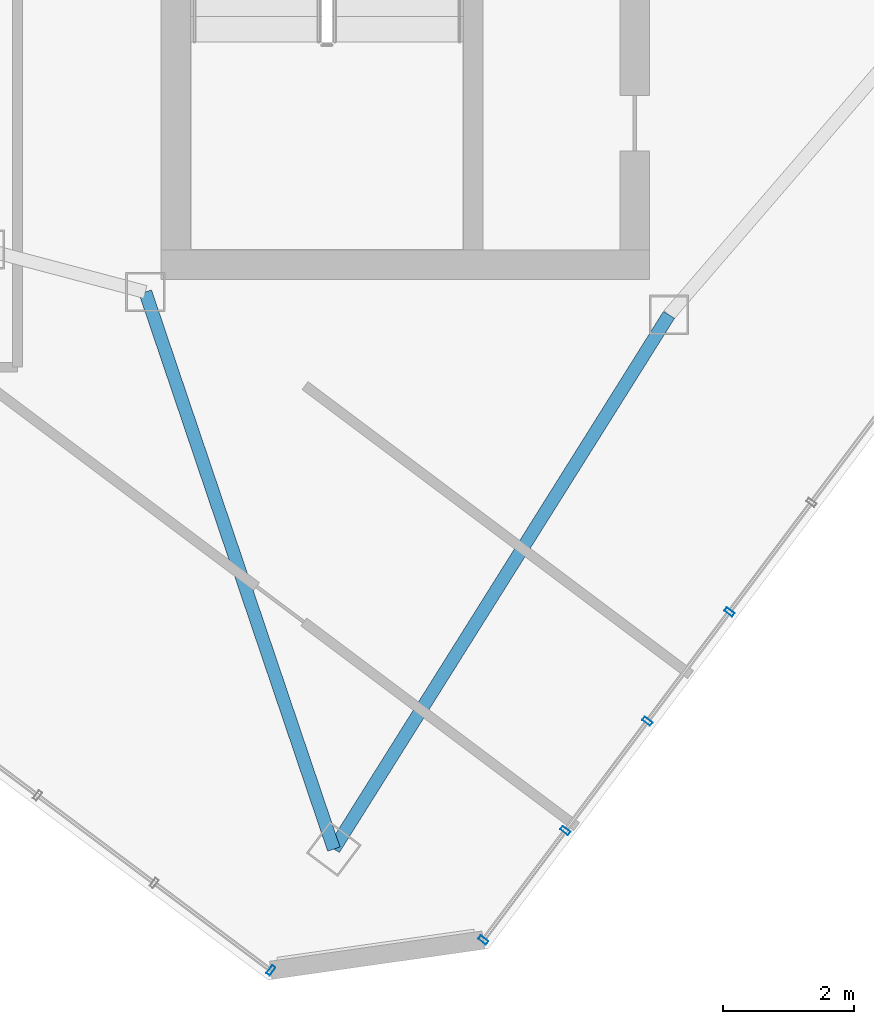
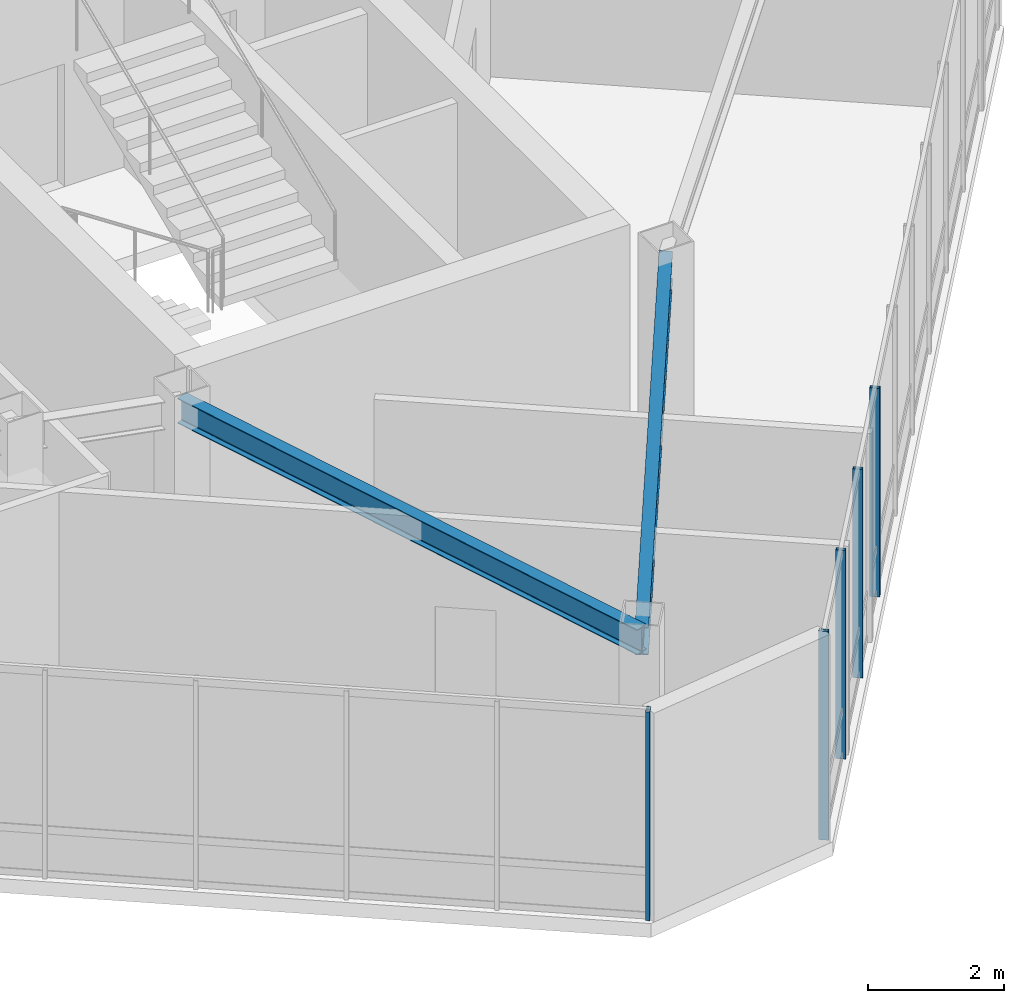
# One storey, part 7 of 29: 5 members, 2 beams, 2 elements without a shape of their own.
"""IFC4 building model written with IfcOpenShell, lengths in metres."""

from ifc_helpers import new_model, si_unit, direction, frame, origin, origin_2d, place, context, subcontext, project, spatial, hollow_rectangle, i_section, extrude, material, layer, layer_set, material_profile, profile_set, type_object, element, aggregate, save


model = new_model("IFC4")

# Units and contexts
model_context = context("Model", 3, precision=1e-05, world=origin(), true_north=direction((0.0, 1.0)))
body_context = subcontext(model_context, "Body", "Model", "MODEL_VIEW")
ifc_project = project(units=[si_unit("LENGTHUNIT", "METRE"), si_unit("AREAUNIT", "SQUARE_METRE"), si_unit("VOLUMEUNIT", "CUBIC_METRE"), si_unit("PLANEANGLEUNIT", "RADIAN"), si_unit("MASSUNIT", "GRAM", prefix="KILO")], contexts=[model_context])

# Site, building, storey
site_placement = place(None, origin())
site = spatial("IfcSite", under=ifc_project, at=site_placement, CompositionType="ELEMENT")
building_placement = place(site_placement, origin())
building = spatial("IfcBuilding", under=site, at=building_placement, Name="Hatsunagi Terrace Concourse", CompositionType="ELEMENT")
storey_placement = place(building_placement, frame((0.0, 0.0, 277.949951171875)))
storey = spatial("IfcBuildingStorey", under=building, at=storey_placement, Name="L73", CompositionType="ELEMENT", Elevation=277.949951171875)

# Beam
ifc_material_1 = material(Name="Steel SN490B", Category="steel")
ifc_material_profile_1 = material_profile(ifc_material_1, i_section(OverallWidth=0.199951171875, OverallDepth=0.5, WebThickness=0.010009765625, FlangeThickness=0.01611328125, FilletRadius=0.01611328125, at=origin_2d()), Name="H-500x200x10x16")
ifc_profile_set_1 = profile_set([ifc_material_profile_1], Name="Steel SN490B")
beam_type_1 = type_object("IfcBeamType", Name="CrownFloorGirder_H_500x200", PredefinedType="BEAM", material=ifc_profile_set_1)
beam_1_placement = place(storey_placement, frame((38.679931640625, 16.0400390625, 3.5), z_axis=(0.531503907049, 0.847055840421, 0.0), x_axis=(-0.847055840421, 0.531503907049, 0.0)))
element("IfcBeam", 1, at=beam_1_placement, inside=storey, type_object=beam_type_1, Name="Beam G-07 BM-L73-SET-1A", PredefinedType="BEAM", context=body_context, shape_type="SweptSolid", body=[
    extrude(i_section(OverallWidth=0.199951171875, OverallDepth=0.5, WebThickness=0.010009765625, FlangeThickness=0.01611328125, FilletRadius=0.01611328125, at=origin_2d()), origin(), (0.0, 0.0, 1.0), 9.63330078125),
])

# Curtain wall, members
ifc_material_2 = material(Name="Anodised Aluminium Alloy 6063-T5", Category="aluminium")
ifc_layer = layer(ifc_material_2, 0.199951171875)
ifc_layer_set = layer_set([ifc_layer], Name="CrownWintergarden_CW06")
curtain_wall_type = type_object("IfcCurtainWallType", Name="CrownWintergarden_CW06", PredefinedType="NOTDEFINED", material=ifc_layer_set)
curtain_wall_1_placement = place(storey_placement, origin())
curtain_wall_1 = element("IfcCurtainWall", 2, at=curtain_wall_1_placement, inside=storey, type_object=curtain_wall_type, Name="Unitised Curtain Wall CW-06 CW-L73-03", PredefinedType="NOTDEFINED")
ifc_material_3 = material(Name="Anodised Aluminium Alloy 6063-T5", Category="aluminium")
ifc_material_profile_2 = material_profile(ifc_material_3, hollow_rectangle(XDim=0.06494140625, YDim=0.14990234375, WallThickness=0.00390625, at=origin_2d()), Name="ALU-MUL-150x65x4")
ifc_profile_set_2 = profile_set([ifc_material_profile_2], Name="Anodised Aluminium Alloy 6063-T5")
member_type = type_object("IfcMemberType", Name="CurtainWallMullion_Crown_150x65", PredefinedType="MULLION", material=ifc_profile_set_2)
member_1_placement = place(storey_placement, frame((44.721923828125, 19.662109375, 0.0), z_axis=(0.0, 0.0, 1.0), x_axis=(-0.599969314634, -0.800023013105, 0.0)))
member_1 = element("IfcMember", 3, at=member_1_placement, type_object=member_type, Name="Curtain Wall Mullion MUL-03", PredefinedType="MULLION", context=body_context, shape_type="SweptSolid", body=[
    extrude(hollow_rectangle(XDim=0.06494140625, YDim=0.14990234375, WallThickness=0.00390625, at=origin_2d()), origin(), (0.0, 0.0, 1.0), 3.739990234375),
])
member_2_placement = place(storey_placement, frame((43.468994140625, 17.991943359375, 0.0), z_axis=(0.0, 0.0, 1.0), x_axis=(-0.599969314634, -0.800023013105, 0.0)))
member_2 = element("IfcMember", 4, at=member_2_placement, type_object=member_type, Name="Curtain Wall Mullion MUL-03", PredefinedType="MULLION", context=body_context, shape_type="SweptSolid", body=[
    extrude(hollow_rectangle(XDim=0.06494140625, YDim=0.14990234375, WallThickness=0.00390625, at=origin_2d()), origin(), (0.0, 0.0, 1.0), 3.739990234375),
])
member_3_placement = place(storey_placement, frame((42.216064453125, 16.321044921875, 0.0), z_axis=(0.0, 0.0, 1.0), x_axis=(-0.599969314634, -0.800023013105, 0.0)))
member_3 = element("IfcMember", 5, at=member_3_placement, type_object=member_type, Name="Curtain Wall Mullion MUL-03", PredefinedType="MULLION", context=body_context, shape_type="SweptSolid", body=[
    extrude(hollow_rectangle(XDim=0.06494140625, YDim=0.14990234375, WallThickness=0.00390625, at=origin_2d()), origin(), (0.0, 0.0, 1.0), 3.739990234375),
])
member_4_placement = place(storey_placement, frame((40.962890625, 14.64990234375, 0.0), z_axis=(0.0, 0.0, 1.0), x_axis=(-0.599969314634, -0.800023013105, 0.0)))
member_4 = element("IfcMember", 6, at=member_4_placement, type_object=member_type, Name="Curtain Wall Mullion MUL-03", PredefinedType="MULLION", context=body_context, shape_type="SweptSolid", body=[
    extrude(hollow_rectangle(XDim=0.06494140625, YDim=0.14990234375, WallThickness=0.00390625, at=origin_2d()), origin(), (0.0, 0.0, 1.0), 3.739990234375),
])
aggregate(curtain_wall_1, [member_1, member_2, member_3, member_4])

# Curtain wall, member
curtain_wall_2_placement = place(storey_placement, origin())
curtain_wall_2 = element("IfcCurtainWall", 7, at=curtain_wall_2_placement, inside=storey, type_object=curtain_wall_type, Name="Unitised Curtain Wall CW-06 CW-L73-05", PredefinedType="NOTDEFINED")
member_5_placement = place(storey_placement, frame((37.718017578125, 14.18701171875, 0.0), z_axis=(0.0, 0.0, 1.0), x_axis=(-0.800007305671, 0.599990258982, 0.0)))
member_5 = element("IfcMember", 8, at=member_5_placement, type_object=member_type, Name="Curtain Wall Mullion MUL-03", PredefinedType="MULLION", context=body_context, shape_type="SweptSolid", body=[
    extrude(hollow_rectangle(XDim=0.06494140625, YDim=0.14990234375, WallThickness=0.00390625, at=origin_2d()), origin(), (0.0, 0.0, 1.0), 3.739990234375),
])
aggregate(curtain_wall_2, [member_5])

# Beam
ifc_material_4 = material(Name="Steel SN490B", Category="steel")
ifc_material_profile_3 = material_profile(ifc_material_4, i_section(OverallWidth=0.199951171875, OverallDepth=0.449951171875, WebThickness=0.009033203125, FlangeThickness=0.013916015625, FilletRadius=0.01611328125, at=origin_2d()), Name="H-450x200x9x14")
ifc_profile_set_3 = profile_set([ifc_material_profile_3], Name="Steel SN490B")
beam_type_2 = type_object("IfcBeamType", Name="PerimeterSpandrel_H_450x200", PredefinedType="SPANDREL", material=ifc_profile_set_3)
beam_2_placement = place(storey_placement, frame((35.800048828125, 24.550048828125, 3.525146484375), z_axis=(0.320553412271, -0.947230441805, 0.0), x_axis=(0.947230441805, 0.320553412271, 0.0)))
element("IfcBeam", 9, at=beam_2_placement, inside=storey, type_object=beam_type_2, Name="Beam SP-02 BM-L73-SE-SW0", PredefinedType="SPANDREL", context=body_context, shape_type="SweptSolid", body=[
    extrude(i_section(OverallWidth=0.199951171875, OverallDepth=0.449951171875, WebThickness=0.009033203125, FlangeThickness=0.013916015625, FilletRadius=0.01611328125, at=origin_2d()), origin(), (0.0, 0.0, 1.0), 8.984130859375),
])

save(model, "model.ifc")
